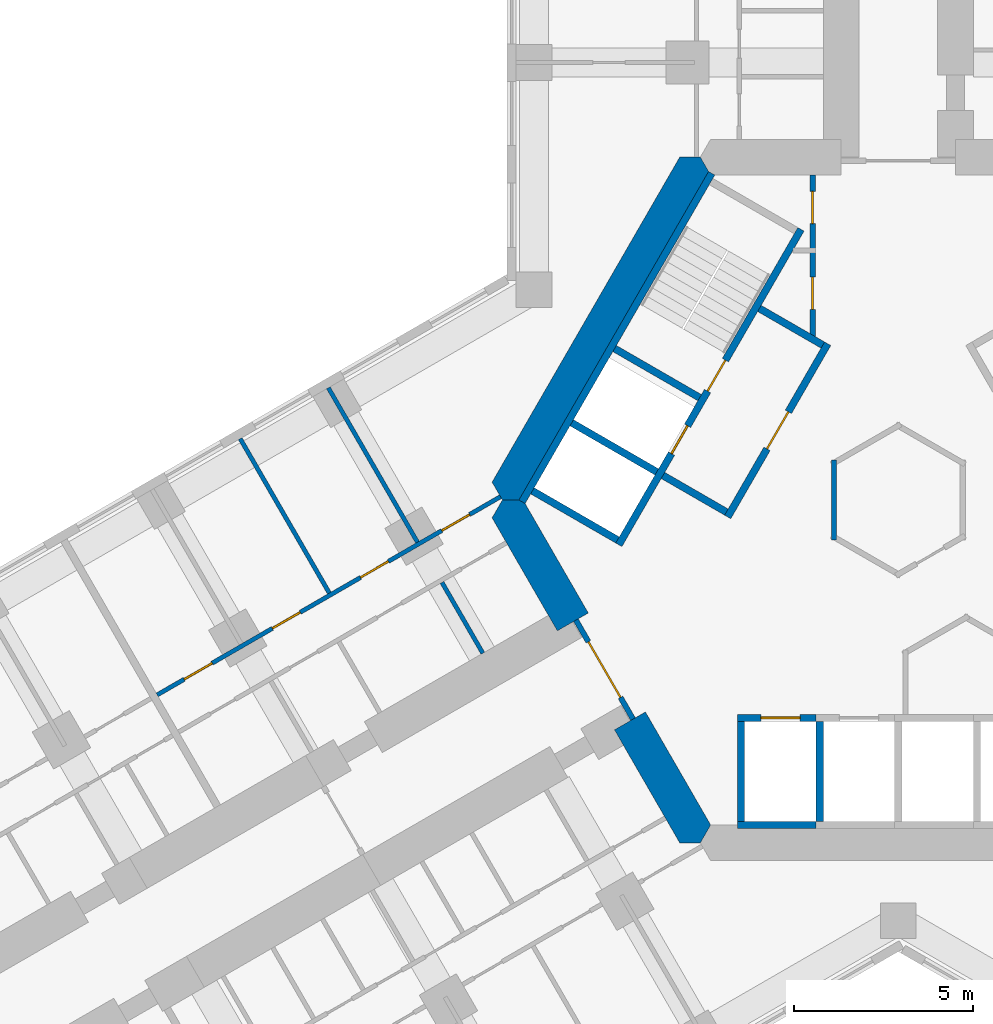
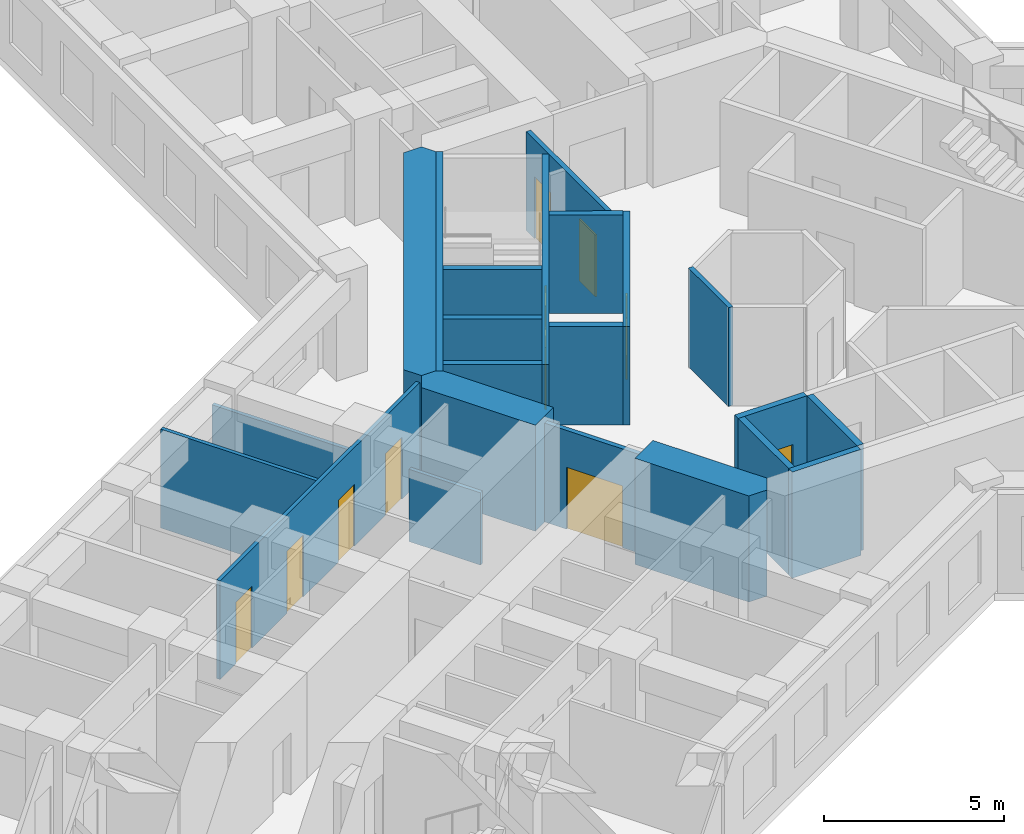
# One storey, part 13 of 21: 22 walls, 11 doors, 11 openings.
"""IFC4 building model written with IfcOpenShell, lengths in metres."""

from ifc_helpers import new_model, si_unit, direction, frame, frame_2d, origin, place, context, subcontext, project, spatial, polyline, rectangle, outline, extrude, material, layer, layer_set, type_object, element, fill, save


model = new_model("IFC4")

# Units and contexts
model_context = context("Model", 3, precision=1e-05, world=origin(), true_north=direction((0.0, 1.0)))
body_context = subcontext(model_context, "Body", "Model", "MODEL_VIEW")
ifc_project = project(units=[si_unit("LENGTHUNIT", "METRE"), si_unit("AREAUNIT", "SQUARE_METRE"), si_unit("VOLUMEUNIT", "CUBIC_METRE"), si_unit("PLANEANGLEUNIT", "RADIAN"), si_unit("MASSUNIT", "GRAM", prefix="KILO")], contexts=[model_context])

# Site, building, storey
site_placement = place(None, origin())
site = spatial("IfcSite", under=ifc_project, at=site_placement, CompositionType="ELEMENT")
building_placement = place(site_placement, origin())
building = spatial("IfcBuilding", under=site, at=building_placement, Name="Kosmar Iwan School Tower", CompositionType="ELEMENT")
storey_placement = place(building_placement, frame((0.0, 0.0, 57.39990234375)))
storey = spatial("IfcBuildingStorey", under=building, at=storey_placement, Name="L13", CompositionType="ELEMENT", Elevation=57.39990234375)

# Wall, openings, doors
ifc_material_1 = material(Name="Gypsum board on steel studs, fire-rated", Category="steel")
ifc_layer_1 = layer(ifc_material_1, 0.14990234375)
ifc_layer_set_1 = layer_set([ifc_layer_1], Name="Core room partition 150")
wall_type_1 = type_object("IfcWallType", Name="Core room partition 150", PredefinedType="PARTITIONING", material=ifc_layer_set_1)
wall_1_placement = place(storey_placement, frame((-2.39990234375, 9.094970703125, 0.0), z_axis=(0.0, 0.0, 1.0), x_axis=(0.0, -1.0, 0.0)))
wall_1 = element("IfcWall", 1, at=wall_1_placement, inside=storey, type_object=wall_type_1, Name="Core room partition L13-CW1", PredefinedType="PARTITIONING", context=body_context, shape_type="SweptSolid", body=[
    extrude(rectangle(XDim=4.564208984375, YDim=0.14990234375, at=frame_2d((2.2822265625, 0.0))), origin(), (0.0, 0.0, 1.0), 3.35009765625),
])
opening_1_placement = place(wall_1_placement, frame((0.455078125, 0.0, 0.0)))
opening_1 = element("IfcOpeningElement", 2, at=opening_1_placement, cuts=wall_1, Name="Opening D14", PredefinedType="OPENING", context=body_context, shape_type="SweptSolid", body=[
    extrude(rectangle(XDim=0.89990234375, YDim=2.10009765625, at=frame_2d((0.449951171875, 1.050048828125))), frame((0.0, 0.0869140625, 0.0), z_axis=(0.0, -1.0, 0.0), x_axis=(1.0, 0.0, 0.0)), (0.0, 0.0, 1.0), 0.173828125),
])
opening_2_placement = place(wall_1_placement, frame((2.85498046875, 0.0, 0.0)))
opening_2 = element("IfcOpeningElement", 3, at=opening_2_placement, cuts=wall_1, Name="Opening D14", PredefinedType="OPENING", context=body_context, shape_type="SweptSolid", body=[
    extrude(rectangle(XDim=0.89990234375, YDim=2.10009765625, at=frame_2d((0.449951171875, 1.050048828125))), frame((0.0, 0.0869140625, 0.0), z_axis=(0.0, -1.0, 0.0), x_axis=(1.0, 0.0, 0.0)), (0.0, 0.0, 1.0), 0.173828125),
])
ifc_material_2 = material(Name="Timber fire door in steel frame", Category="steel")
door_type_1 = type_object("IfcDoorType", Name="Core room door 900x2100", OperationType="SINGLE_SWING_LEFT", PredefinedType="DOOR", material=ifc_material_2)
door_1_placement = place(opening_1_placement, origin())
door_1 = element("IfcDoor", 4, at=door_1_placement, inside=storey, type_object=door_type_1, Name="Electrical riser and switch room door L13 1", OperationType="SINGLE_SWING_LEFT", OverallHeight=2.10009765625, OverallWidth=0.89990234375, PredefinedType="DOOR", context=body_context, shape_type="SweptSolid", body=[
    extrude(rectangle(XDim=0.89990234375, YDim=2.10009765625, at=frame_2d((0.449951171875, 1.050048828125))), frame((0.0, 0.02490234375, 0.0), z_axis=(0.0, -1.0, 0.0), x_axis=(1.0, 0.0, 0.0)), (0.0, 0.0, 1.0), 0.050048828125),
])
fill(opening_1, door_1)
door_2_placement = place(opening_2_placement, origin())
door_2 = element("IfcDoor", 5, at=door_2_placement, inside=storey, type_object=door_type_1, Name="Plumbing and wet riser door L13 2", OperationType="SINGLE_SWING_RIGHT", OverallHeight=2.10009765625, OverallWidth=0.89990234375, PredefinedType="DOOR", context=body_context, shape_type="SweptSolid", body=[
    extrude(rectangle(XDim=0.89990234375, YDim=2.10009765625, at=frame_2d((0.449951171875, 1.050048828125))), frame((0.0, 0.02490234375, 0.0), z_axis=(0.0, -1.0, 0.0), x_axis=(1.0, 0.0, 0.0)), (0.0, 0.0, 1.0), 0.050048828125),
])
fill(opening_2, door_2)

# Walls
wall_2_placement = place(storey_placement, frame((-1.800048828125, -1.1142578125, 0.0), z_axis=(0.0, 0.0, 1.0), x_axis=(0.0, 1.0, 0.0)))
element("IfcWall", 6, at=wall_2_placement, inside=storey, type_object=wall_type_1, Name="Core room partition L13-CW6", PredefinedType="PARTITIONING", context=body_context, shape_type="SweptSolid", body=[
    extrude(rectangle(XDim=2.228515625, YDim=0.14990234375, at=frame_2d((1.1142578125, 0.0))), origin(), (0.0, 0.0, 1.0), 3.35009765625),
])
ifc_material_3 = material(Name="Concrete C50/60", Category="concrete")
ifc_layer_2 = layer(ifc_material_3, 1.0)
ifc_layer_set_2 = layer_set([ifc_layer_2], Name="Core wall 1000")
wall_type_2 = type_object("IfcWallType", Name="Core wall 1000", PredefinedType="SHEAR", material=ifc_layer_set_2)
wall_3_placement = place(storey_placement, origin())
element("IfcWall", 7, at=wall_3_placement, inside=storey, type_object=wall_type_2, Name="Core wall F150", PredefinedType="SHEAR", context=body_context, shape_type="SweptSolid", body=[
    extrude(outline(polyline([(-11.085205078125, 0.0), (-10.5078125, 0.0), (-5.25390625, 9.10009765625), (-5.54248046875, 9.60009765625), (-6.119873046875, 9.60009765625), (-11.373779296875, 0.5), (-11.085205078125, 0.0)])), origin(), (0.0, 0.0, 1.0), 3.60009765625),
])
wall_4_placement = place(storey_placement, origin())
element("IfcWall", 8, at=wall_4_placement, inside=storey, type_object=wall_type_2, Name="Core wall F210a", PredefinedType="SHEAR", context=body_context, shape_type="SweptSolid", body=[
    extrude(outline(polyline([(-9.546875, -3.664306640625), (-8.680908203125, -3.164306640625), (-10.5078125, 0.0), (-11.085205078125, 0.0), (-11.373779296875, -0.5), (-9.546875, -3.664306640625)])), origin(), (0.0, 0.0, 1.0), 3.60009765625),
])
wall_5_placement = place(storey_placement, origin())
element("IfcWall", 9, at=wall_5_placement, inside=storey, type_object=wall_type_2, Name="Core wall F210b", PredefinedType="SHEAR", context=body_context, shape_type="SweptSolid", body=[
    extrude(outline(polyline([(-6.119873046875, -9.60009765625), (-5.54248046875, -9.60009765625), (-5.25390625, -9.10009765625), (-7.080810546875, -5.935546875), (-7.94677734375, -6.435546875), (-6.119873046875, -9.60009765625)])), origin(), (0.0, 0.0, 1.0), 3.60009765625),
])

# Wall, opening, door
ifc_material_4 = material(Name="Steel framed glazed screen", Category="steel")
ifc_layer_3 = layer(ifc_material_4, 0.14990234375)
ifc_layer_set_3 = layer_set([ifc_layer_3], Name="Corridor screen wall 150")
wall_type_3 = type_object("IfcWallType", Name="Corridor screen wall 150", PredefinedType="PARTITIONING", material=ifc_layer_set_3)
wall_6_placement = place(storey_placement, frame((-9.02734375, -3.3642578125, 0.0), z_axis=(0.0, 0.0, 1.0), x_axis=(0.499995408039, -0.866028054938, 0.0)))
wall_6 = element("IfcWall", 10, at=wall_6_placement, inside=storey, type_object=wall_type_3, Name="Corridor screen B L13", PredefinedType="PARTITIONING", context=body_context, shape_type="SweptSolid", body=[
    extrude(rectangle(XDim=3.2001953125, YDim=0.14990234375, at=frame_2d((1.60009765625, 0.0))), origin(), (0.0, 0.0, 1.0), 3.35009765625),
])
opening_3_placement = place(wall_6_placement, frame((0.699951171875, 0.0, 0.0)))
opening_3 = element("IfcOpeningElement", 11, at=opening_3_placement, cuts=wall_6, Name="Opening D9", PredefinedType="OPENING", context=body_context, shape_type="SweptSolid", body=[
    extrude(rectangle(XDim=1.800048828125, YDim=2.10009765625, at=frame_2d((0.89990234375, 1.050048828125))), frame((0.0, 0.0869140625, 0.0), z_axis=(0.0, -1.0, 0.0), x_axis=(1.0, 0.0, 0.0)), (0.0, 0.0, 1.0), 0.173828125),
])
ifc_material_5 = material(Name="Steel framed glazed smoke door", Category="steel")
door_type_2 = type_object("IfcDoorType", Name="Corridor smoke door pair 1800x2100", OperationType="DOUBLE_DOOR_DOUBLE_SWING", PredefinedType="DOOR", material=ifc_material_5)
door_3_placement = place(opening_3_placement, origin())
door_3 = element("IfcDoor", 12, at=door_3_placement, inside=storey, type_object=door_type_2, Name="Corridor doors B L13", OperationType="DOUBLE_DOOR_DOUBLE_SWING", OverallHeight=2.10009765625, OverallWidth=1.800048828125, PredefinedType="DOOR", context=body_context, shape_type="SweptSolid", body=[
    extrude(rectangle(XDim=1.800048828125, YDim=2.10009765625, at=frame_2d((0.89990234375, 1.050048828125))), frame((0.0, 0.02490234375, 0.0), z_axis=(0.0, -1.0, 0.0), x_axis=(1.0, 0.0, 0.0)), (0.0, 0.0, 1.0), 0.050048828125),
])
fill(opening_3, door_3)

# Wall, openings, doors
ifc_material_6 = material(Name="Gypsum board on steel studs", Category="steel")
ifc_layer_4 = layer(ifc_material_6, 0.1201171875)
ifc_layer_set_4 = layer_set([ifc_layer_4], Name="Dwelling partition 120")
wall_type_4 = type_object("IfcWallType", Name="Dwelling partition 120", PredefinedType="PARTITIONING", material=ifc_layer_set_4)
wall_7_placement = place(storey_placement, frame((-11.138916015625, 0.093017578125, 0.0), z_axis=(0.0, 0.0, 1.0), x_axis=(-0.866021494144, -0.500006771635, 0.0)))
wall_7 = element("IfcWall", 13, at=wall_7_placement, inside=storey, type_object=wall_type_4, Name="Partition L13-BR1-W2", PredefinedType="PARTITIONING", context=body_context, shape_type="SweptSolid", body=[
    extrude(rectangle(XDim=11.099853515625, YDim=0.1201171875, at=frame_2d((5.5498046875, 0.0))), origin(), (0.0, 0.0, 1.0), 3.35009765625),
])
opening_4_placement = place(wall_7_placement, frame((1.0, 0.0, 0.0)))
opening_4 = element("IfcOpeningElement", 14, at=opening_4_placement, cuts=wall_7, Name="Opening D2", PredefinedType="OPENING", context=body_context, shape_type="SweptSolid", body=[
    extrude(rectangle(XDim=0.89990234375, YDim=2.10009765625, at=frame_2d((0.449951171875, 1.050048828125))), frame((0.0, 0.072021484375, 0.0), z_axis=(0.0, -1.0, 0.0), x_axis=(1.0, 0.0, 0.0)), (0.0, 0.0, 1.0), 0.14404296875),
])
opening_5_placement = place(wall_7_placement, frame((3.625, 0.0, 0.0)))
opening_5 = element("IfcOpeningElement", 15, at=opening_5_placement, cuts=wall_7, Name="Opening D2", PredefinedType="OPENING", context=body_context, shape_type="SweptSolid", body=[
    extrude(rectangle(XDim=0.89990234375, YDim=2.10009765625, at=frame_2d((0.449951171875, 1.050048828125))), frame((0.0, 0.072021484375, 0.0), z_axis=(0.0, -1.0, 0.0), x_axis=(1.0, 0.0, 0.0)), (0.0, 0.0, 1.0), 0.14404296875),
])
opening_6_placement = place(wall_7_placement, frame((6.47509765625, 0.0, 0.0)))
opening_6 = element("IfcOpeningElement", 16, at=opening_6_placement, cuts=wall_7, Name="Opening D2", PredefinedType="OPENING", context=body_context, shape_type="SweptSolid", body=[
    extrude(rectangle(XDim=0.89990234375, YDim=2.10009765625, at=frame_2d((0.449951171875, 1.050048828125))), frame((0.0, 0.072021484375, 0.0), z_axis=(0.0, -1.0, 0.0), x_axis=(1.0, 0.0, 0.0)), (0.0, 0.0, 1.0), 0.14404296875),
])
opening_7_placement = place(wall_7_placement, frame((9.324951171875, 0.0, 0.0)))
opening_7 = element("IfcOpeningElement", 17, at=opening_7_placement, cuts=wall_7, Name="Opening D2", PredefinedType="OPENING", context=body_context, shape_type="SweptSolid", body=[
    extrude(rectangle(XDim=0.89990234375, YDim=2.10009765625, at=frame_2d((0.449951171875, 1.050048828125))), frame((0.0, 0.072021484375, 0.0), z_axis=(0.0, -1.0, 0.0), x_axis=(1.0, 0.0, 0.0)), (0.0, 0.0, 1.0), 0.14404296875),
])
ifc_material_7 = material(Name="Timber door in timber frame", Category="wood")
door_type_3 = type_object("IfcDoorType", Name="Internal door 900x2100", OperationType="SINGLE_SWING_LEFT", PredefinedType="DOOR", material=ifc_material_7)
door_4_placement = place(opening_4_placement, origin())
door_4 = element("IfcDoor", 18, at=door_4_placement, inside=storey, type_object=door_type_3, Name="Living room and kitchen door L13-BR1-F1", OperationType="SINGLE_SWING_LEFT", OverallHeight=2.10009765625, OverallWidth=0.89990234375, PredefinedType="DOOR", context=body_context, shape_type="SweptSolid", body=[
    extrude(rectangle(XDim=0.89990234375, YDim=2.10009765625, at=frame_2d((0.449951171875, 1.050048828125))), frame((0.0, 0.02490234375, 0.0), z_axis=(0.0, -1.0, 0.0), x_axis=(1.0, 0.0, 0.0)), (0.0, 0.0, 1.0), 0.050048828125),
])
fill(opening_4, door_4)
door_5_placement = place(opening_5_placement, origin())
door_5 = element("IfcDoor", 19, at=door_5_placement, inside=storey, type_object=door_type_3, Name="Study door L13-BR1-F2", OperationType="SINGLE_SWING_LEFT", OverallHeight=2.10009765625, OverallWidth=0.89990234375, PredefinedType="DOOR", context=body_context, shape_type="SweptSolid", body=[
    extrude(rectangle(XDim=0.89990234375, YDim=2.10009765625, at=frame_2d((0.449951171875, 1.050048828125))), frame((0.0, 0.02490234375, 0.0), z_axis=(0.0, -1.0, 0.0), x_axis=(1.0, 0.0, 0.0)), (0.0, 0.0, 1.0), 0.050048828125),
])
fill(opening_5, door_5)
door_6_placement = place(opening_6_placement, origin())
door_6 = element("IfcDoor", 20, at=door_6_placement, inside=storey, type_object=door_type_3, Name="Study door L13-BR1-F3", OperationType="SINGLE_SWING_RIGHT", OverallHeight=2.10009765625, OverallWidth=0.89990234375, PredefinedType="DOOR", context=body_context, shape_type="SweptSolid", body=[
    extrude(rectangle(XDim=0.89990234375, YDim=2.10009765625, at=frame_2d((0.449951171875, 1.050048828125))), frame((0.0, 0.02490234375, 0.0), z_axis=(0.0, -1.0, 0.0), x_axis=(1.0, 0.0, 0.0)), (0.0, 0.0, 1.0), 0.050048828125),
])
fill(opening_6, door_6)
door_7_placement = place(opening_7_placement, origin())
door_7 = element("IfcDoor", 21, at=door_7_placement, inside=storey, type_object=door_type_3, Name="Bedroom 1 door L13-BR1-F4", OperationType="SINGLE_SWING_RIGHT", OverallHeight=2.10009765625, OverallWidth=0.89990234375, PredefinedType="DOOR", context=body_context, shape_type="SweptSolid", body=[
    extrude(rectangle(XDim=0.89990234375, YDim=2.10009765625, at=frame_2d((0.449951171875, 1.050048828125))), frame((0.0, 0.02490234375, 0.0), z_axis=(0.0, -1.0, 0.0), x_axis=(1.0, 0.0, 0.0)), (0.0, 0.0, 1.0), 0.050048828125),
])
fill(opening_7, door_7)

# Walls
wall_8_placement = place(storey_placement, frame((-13.4638671875, -1.179931640625, 0.0), z_axis=(0.0, 0.0, 1.0), x_axis=(-0.499996339024, 0.86602751744, 0.0)))
element("IfcWall", 22, at=wall_8_placement, inside=storey, type_object=wall_type_4, Name="Partition L13-BR1-X1", PredefinedType="PARTITIONING", context=body_context, shape_type="SweptSolid", body=[
    extrude(rectangle(XDim=4.98974609375, YDim=0.1201171875, at=frame_2d((2.494873046875, 0.0))), origin(), (0.0, 0.0, 1.0), 2.4501953125),
])
wall_9_placement = place(storey_placement, frame((-15.931884765625, -2.60498046875, 0.0), z_axis=(0.0, 0.0, 1.0), x_axis=(-0.500011847778, 0.866018563358, 0.0)))
element("IfcWall", 23, at=wall_9_placement, inside=storey, type_object=wall_type_4, Name="Partition L13-BR1-X2", PredefinedType="PARTITIONING", context=body_context, shape_type="SweptSolid", body=[
    extrude(rectangle(XDim=4.990234375, YDim=0.1201171875, at=frame_2d((2.4951171875, 0.0))), origin(), (0.0, 0.0, 1.0), 3.35009765625),
])
wall_10_placement = place(storey_placement, frame((-11.6328125, -4.291259765625, 0.0), z_axis=(0.0, 0.0, 1.0), x_axis=(-0.500014693593, 0.866016920268, 0.0)))
element("IfcWall", 24, at=wall_10_placement, inside=storey, type_object=wall_type_4, Name="Partition L13-BR1-Y1", PredefinedType="PARTITIONING", context=body_context, shape_type="SweptSolid", body=[
    extrude(rectangle(XDim=2.2900390625, YDim=0.1201171875, at=frame_2d((1.14501953125, 0.0))), origin(), (0.0, 0.0, 1.0), 2.4501953125),
])

# Wall, opening, door
ifc_material_8 = material(Name="Concrete block masonry", Category="masonry")
ifc_layer_5 = layer(ifc_material_8, 0.199951171875)
ifc_layer_set_5 = layer_set([ifc_layer_5], Name="Fire lobby wall 200")
wall_type_5 = type_object("IfcWallType", Name="Fire lobby wall 200", PredefinedType="PARTITIONING", material=ifc_layer_set_5)
wall_11_placement = place(storey_placement, frame((-1.9775390625, 4.374755859375, 0.0), z_axis=(0.0, 0.0, 1.0), x_axis=(-0.500016814911, -0.866015695474, 0.0)))
wall_11 = element("IfcWall", 25, at=wall_11_placement, inside=storey, type_object=wall_type_5, Name="Firefighting lobby wall ST2", PredefinedType="PARTITIONING", context=body_context, shape_type="SweptSolid", body=[
    extrude(rectangle(XDim=5.599853515625, YDim=0.199951171875, at=frame_2d((2.7998046875, 0.0))), origin(), (0.0, 0.0, 1.0), 3.35009765625),
])
opening_8_placement = place(wall_11_placement, frame((2.199951171875, 0.0, 0.0)))
opening_8 = element("IfcOpeningElement", 26, at=opening_8_placement, cuts=wall_11, Name="Opening D7", PredefinedType="OPENING", context=body_context, shape_type="SweptSolid", body=[
    extrude(rectangle(XDim=1.199951171875, YDim=2.10009765625, at=frame_2d((0.60009765625, 1.050048828125))), frame((0.0, 0.112060546875, 0.0), z_axis=(0.0, -1.0, 0.0), x_axis=(1.0, 0.0, 0.0)), (0.0, 0.0, 1.0), 0.223876953125),
])
ifc_material_9 = material(Name="Steel fire door", Category="steel")
door_type_4 = type_object("IfcDoorType", Name="Fire lobby door 1200x2100", OperationType="SINGLE_SWING_LEFT", PredefinedType="DOOR", material=ifc_material_9)
door_8_placement = place(opening_8_placement, origin())
door_8 = element("IfcDoor", 27, at=door_8_placement, inside=storey, type_object=door_type_4, Name="Firefighting lobby door ST2 L13", OperationType="SINGLE_SWING_RIGHT", OverallHeight=2.10009765625, OverallWidth=1.199951171875, PredefinedType="DOOR", context=body_context, shape_type="SweptSolid", body=[
    extrude(rectangle(XDim=1.199951171875, YDim=2.10009765625, at=frame_2d((0.60009765625, 1.050048828125))), frame((0.0, 0.02490234375, 0.0), z_axis=(0.0, -1.0, 0.0), x_axis=(1.0, 0.0, 0.0)), (0.0, 0.0, 1.0), 0.050048828125),
])
fill(opening_8, door_8)

# Walls
wall_12_placement = place(storey_placement, frame((-2.114013671875, 4.33837890625, 0.0), z_axis=(0.0, 0.0, 1.0), x_axis=(-0.866050731258, 0.499956128963, 0.0)))
element("IfcWall", 28, at=wall_12_placement, inside=storey, type_object=wall_type_5, Name="Firefighting lobby wall ST2", PredefinedType="PARTITIONING", context=body_context, shape_type="SweptSolid", body=[
    extrude(rectangle(XDim=2.050048828125, YDim=0.199951171875, at=frame_2d((1.02490234375, 0.0))), origin(), (0.0, 0.0, 1.0), 3.35009765625),
])
wall_13_placement = place(storey_placement, frame((-4.814208984375, -0.33837890625, 0.0), z_axis=(0.0, 0.0, 1.0), x_axis=(-0.865969381856, 0.500097020274, 0.0)))
element("IfcWall", 29, at=wall_13_placement, inside=storey, type_object=wall_type_5, Name="Firefighting lobby wall ST2", PredefinedType="PARTITIONING", context=body_context, shape_type="SweptSolid", body=[
    extrude(rectangle(XDim=2.0498046875, YDim=0.199951171875, at=frame_2d((1.02490234375, 0.0))), origin(), (0.0, 0.0, 1.0), 3.35009765625),
])

# Wall, openings, doors
ifc_material_10 = material(Name="Concrete C50/60", Category="concrete")
ifc_layer_6 = layer(ifc_material_10, 0.199951171875)
ifc_layer_set_6 = layer_set([ifc_layer_6], Name="Lift shaft wall 200")
wall_type_6 = type_object("IfcWallType", Name="Lift shaft wall 200", PredefinedType="SHEAR", material=ifc_layer_set_6)
wall_14_placement = place(storey_placement, frame((-2.72607421875, 7.578369140625, 0.0), z_axis=(0.0, 0.0, 1.0), x_axis=(-0.500005610874, -0.86602216432, 0.0)))
wall_14 = element("IfcWall", 30, at=wall_14_placement, inside=storey, type_object=wall_type_6, Name="Lift and stair front wall AB", PredefinedType="SHEAR", context=body_context, shape_type="SweptSolid", body=[
    extrude(rectangle(XDim=10.2001953125, YDim=0.199951171875, at=frame_2d((5.10009765625, 0.0))), origin(), (0.0, 0.0, 1.0), 3.60009765625),
])
opening_9_placement = place(wall_14_placement, frame((6.35009765625, 0.0, 0.0)))
opening_9 = element("IfcOpeningElement", 31, at=opening_9_placement, cuts=wall_14, Name="Opening LD2", PredefinedType="OPENING", context=body_context, shape_type="SweptSolid", body=[
    extrude(rectangle(XDim=0.89990234375, YDim=2.10009765625, at=frame_2d((0.449951171875, 1.050048828125))), frame((0.0, 0.112060546875, 0.0), z_axis=(0.0, -1.0, 0.0), x_axis=(1.0, 0.0, 0.0)), (0.0, 0.0, 1.0), 0.223876953125),
])
opening_10_placement = place(wall_14_placement, frame((4.22998046875, 0.0, 0.0)))
opening_10 = element("IfcOpeningElement", 32, at=opening_10_placement, cuts=wall_14, Name="Opening D6", PredefinedType="OPENING", context=body_context, shape_type="SweptSolid", body=[
    extrude(rectangle(XDim=1.0, YDim=2.10009765625, at=frame_2d((0.5, 1.050048828125))), frame((0.0, 0.112060546875, 0.0), z_axis=(0.0, -1.0, 0.0), x_axis=(1.0, 0.0, 0.0)), (0.0, 0.0, 1.0), 0.223876953125),
])
ifc_material_11 = material(Name="Stainless steel sliding lift door", Category="steel")
door_type_5 = type_object("IfcDoorType", Name="Firefighting lift landing door 900x2100", OperationType="SLIDING_TO_LEFT", PredefinedType="DOOR", material=ifc_material_11)
door_9_placement = place(opening_9_placement, origin())
door_9 = element("IfcDoor", 33, at=door_9_placement, inside=storey, type_object=door_type_5, Name="Lift FF2 landing door L13", OperationType="SLIDING_TO_LEFT", OverallHeight=2.10009765625, OverallWidth=0.89990234375, PredefinedType="DOOR", context=body_context, shape_type="SweptSolid", body=[
    extrude(rectangle(XDim=0.89990234375, YDim=2.10009765625, at=frame_2d((0.449951171875, 1.050048828125))), frame((0.0, 0.02490234375, 0.0), z_axis=(0.0, -1.0, 0.0), x_axis=(1.0, 0.0, 0.0)), (0.0, 0.0, 1.0), 0.050048828125),
])
fill(opening_9, door_9)
ifc_material_12 = material(Name="Steel fire door", Category="steel")
door_type_6 = type_object("IfcDoorType", Name="Stair door 1000x2100", OperationType="SINGLE_SWING_LEFT", PredefinedType="DOOR", material=ifc_material_12)
door_10_placement = place(opening_10_placement, origin())
door_10 = element("IfcDoor", 34, at=door_10_placement, inside=storey, type_object=door_type_6, Name="Stair ST2 door L13", OperationType="SINGLE_SWING_LEFT", OverallHeight=2.10009765625, OverallWidth=1.0, PredefinedType="DOOR", context=body_context, shape_type="SweptSolid", body=[
    extrude(rectangle(XDim=1.0, YDim=2.10009765625, at=frame_2d((0.5, 1.050048828125))), frame((0.0, 0.02490234375, 0.0), z_axis=(0.0, -1.0, 0.0), x_axis=(1.0, 0.0, 0.0)), (0.0, 0.0, 1.0), 0.050048828125),
])
fill(opening_10, door_10)

# Walls
wall_15_placement = place(storey_placement, frame((-5.22509765625, 9.14990234375, 0.0), z_axis=(0.0, 0.0, 1.0), x_axis=(-0.499994998079, -0.866028291626, 0.0)))
element("IfcWall", 35, at=wall_15_placement, inside=storey, type_object=wall_type_6, Name="Lift and stair back wall AB", PredefinedType="SHEAR", context=body_context, shape_type="SweptSolid", body=[
    extrude(rectangle(XDim=10.623046875, YDim=0.199951171875, at=frame_2d((5.3115234375, 0.0))), origin(), (0.0, 0.0, 1.0), 3.60009765625),
])
for number, where, z_axis, x_axis, name in (
    (36, (-6.7626953125, 0.78662109375, 0.0), (0.0, 0.0, 1.0), (-0.866027397988, 0.499996545922, 0.0), "Lift shaft wall AB 1"),
    (37, (-7.862548828125, -1.118408203125, 0.0), (0.0, 0.0, 1.0), (-0.866027397988, 0.499996545922, 0.0), "Lift shaft wall AB 2"),
):
    element("IfcWall", number, at=place(storey_placement, frame(where, z_axis=z_axis, x_axis=x_axis)), inside=storey, type_object=wall_type_6, Name=name, PredefinedType="SHEAR", context=body_context, shape_type="SweptSolid", body=[
        extrude(rectangle(XDim=2.75, YDim=0.199951171875, at=frame_2d((1.375, 0.0))), origin(), (0.0, 0.0, 1.0), 3.60009765625),
    ])

# Wall, opening, door
wall_16_placement = place(storey_placement, frame((-4.5, -6.10009765625, 0.0), z_axis=(0.0, 0.0, 1.0), x_axis=(1.0, 0.0, 0.0)))
wall_16 = element("IfcWall", 38, at=wall_16_placement, inside=storey, type_object=wall_type_6, Name="Lift and stair front wall BC", PredefinedType="SHEAR", context=body_context, shape_type="SweptSolid", body=[
    extrude(rectangle(XDim=2.199951171875, YDim=0.199951171875, at=frame_2d((1.10009765625, 0.0))), origin(), (0.0, 0.0, 1.0), 3.60009765625),
])
opening_11_placement = place(wall_16_placement, frame((0.64990234375, 0.0, 0.0)))
opening_11 = element("IfcOpeningElement", 39, at=opening_11_placement, cuts=wall_16, Name="Opening LD1", PredefinedType="OPENING", context=body_context, shape_type="SweptSolid", body=[
    extrude(rectangle(XDim=1.10009765625, YDim=2.10009765625, at=frame_2d((0.550048828125, 1.050048828125))), frame((0.0, 0.112060546875, 0.0), z_axis=(0.0, -1.0, 0.0), x_axis=(1.0, 0.0, 0.0)), (0.0, 0.0, 1.0), 0.223876953125),
])
ifc_material_13 = material(Name="Stainless steel sliding lift door", Category="steel")
door_type_7 = type_object("IfcDoorType", Name="Lift landing door 1100x2100", OperationType="SLIDING_TO_LEFT", PredefinedType="DOOR", material=ifc_material_13)
door_11_placement = place(opening_11_placement, origin())
door_11 = element("IfcDoor", 40, at=door_11_placement, inside=storey, type_object=door_type_7, Name="Lift PL1 landing door L13", OperationType="SLIDING_TO_LEFT", OverallHeight=2.10009765625, OverallWidth=1.10009765625, PredefinedType="DOOR", context=body_context, shape_type="SweptSolid", body=[
    extrude(rectangle(XDim=1.10009765625, YDim=2.10009765625, at=frame_2d((0.550048828125, 1.050048828125))), frame((0.0, 0.02490234375, 0.0), z_axis=(0.0, -1.0, 0.0), x_axis=(1.0, 0.0, 0.0)), (0.0, 0.0, 1.0), 0.050048828125),
])
fill(opening_11, door_11)

# Walls
wall_17_placement = place(storey_placement, frame((-4.5, -9.10009765625, 0.0), z_axis=(0.0, 0.0, 1.0), x_axis=(1.0, 0.0, 0.0)))
element("IfcWall", 41, at=wall_17_placement, inside=storey, type_object=wall_type_6, Name="Lift and stair back wall BC", PredefinedType="SHEAR", context=body_context, shape_type="SweptSolid", body=[
    extrude(rectangle(XDim=2.199951171875, YDim=0.199951171875, at=frame_2d((1.10009765625, 0.0))), origin(), (0.0, 0.0, 1.0), 3.60009765625),
])
for number, where, z_axis, x_axis, name in (
    (42, (-4.39990234375, -6.199951171875, 0.0), (0.0, 0.0, 1.0), (0.0, -1.0, 0.0), "Lift shaft wall BC 0"),
    (43, (-2.199951171875, -6.199951171875, 0.0), (0.0, 0.0, 1.0), (0.0, -1.0, 0.0), "Lift shaft wall BC 1"),
):
    element("IfcWall", number, at=place(storey_placement, frame(where, z_axis=z_axis, x_axis=x_axis)), inside=storey, type_object=wall_type_6, Name=name, PredefinedType="SHEAR", context=body_context, shape_type="SweptSolid", body=[
        extrude(rectangle(XDim=2.800048828125, YDim=0.199951171875, at=frame_2d((1.39990234375, 0.0))), origin(), (0.0, 0.0, 1.0), 3.60009765625),
    ])
ifc_material_14 = material(Name="Concrete C50/60", Category="concrete")
ifc_layer_7 = layer(ifc_material_14, 0.199951171875)
ifc_layer_set_7 = layer_set([ifc_layer_7], Name="Stair enclosure wall 200")
wall_type_7 = type_object("IfcWallType", Name="Stair enclosure wall 200", PredefinedType="SHEAR", material=ifc_layer_set_7)
wall_18_placement = place(storey_placement, frame((-5.562744140625, 2.865234375, 0.0), z_axis=(0.0, 0.0, 1.0), x_axis=(-0.866027397988, 0.499996545922, 0.0)))
element("IfcWall", 44, at=wall_18_placement, inside=storey, type_object=wall_type_7, Name="Stair ST2 wall", PredefinedType="SHEAR", context=body_context, shape_type="SweptSolid", body=[
    extrude(rectangle(XDim=2.75, YDim=0.199951171875, at=frame_2d((1.375, 0.0))), origin(), (0.0, 0.0, 1.0), 3.60009765625),
])

save(model, "model.ifc")
